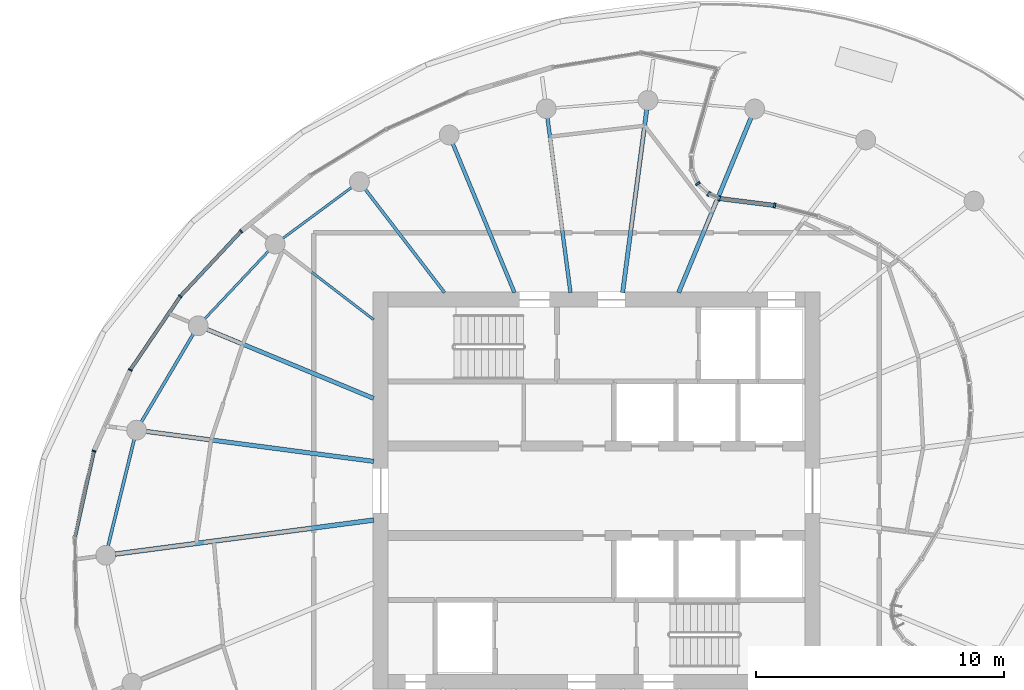
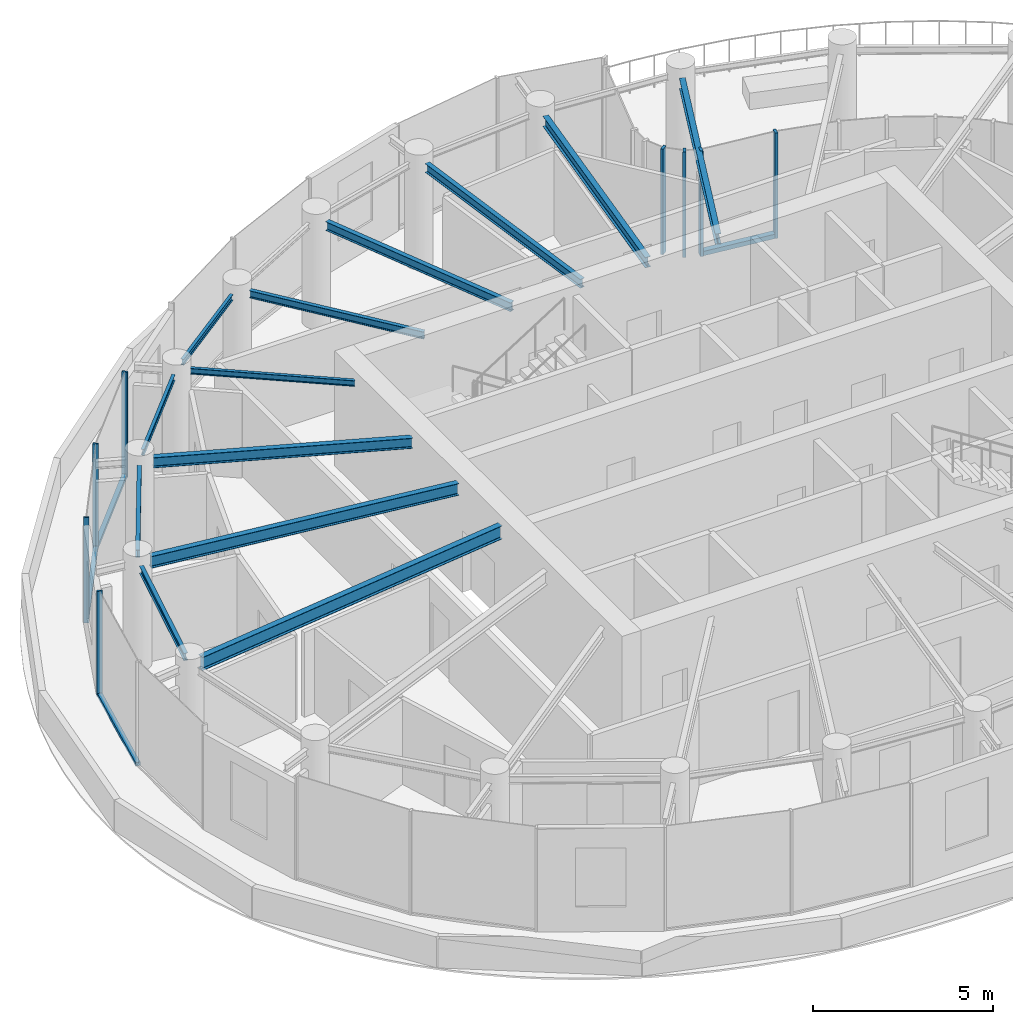
# One storey, part 3 of 19: 13 beams, 12 members, 4 elements without a shape of their own.
"""IFC4 building model written with IfcOpenShell, lengths in metres."""

from ifc_helpers import new_model, si_unit, direction, frame, origin, origin_2d, place, context, subcontext, project, spatial, rectangle, i_section, extrude, source, transform, mapped, material, layer, layer_set, material_profile, profile_set, type_object, element, aggregate, save


model = new_model("IFC4")

# Units and contexts
model_context = context("Model", 3, precision=1e-05, world=origin(), true_north=direction((0.0, 1.0)))
body_context = subcontext(model_context, "Body", "Model", "MODEL_VIEW")
ifc_project = project(units=[si_unit("LENGTHUNIT", "METRE"), si_unit("AREAUNIT", "SQUARE_METRE"), si_unit("VOLUMEUNIT", "CUBIC_METRE"), si_unit("PLANEANGLEUNIT", "RADIAN"), si_unit("MASSUNIT", "GRAM", prefix="KILO")], contexts=[model_context])

# Site, building, storey
site_placement = place(None, origin())
site = spatial("IfcSite", under=ifc_project, at=site_placement, CompositionType="ELEMENT")
building_placement = place(site_placement, origin())
building = spatial("IfcBuilding", under=site, at=building_placement, Name="Spindrift Exchange Tower", CompositionType="ELEMENT")
storey_placement = place(building_placement, frame((0.0, 0.0, 234.5)))
storey = spatial("IfcBuildingStorey", under=building, at=storey_placement, Name="L57", CompositionType="ELEMENT", Elevation=234.5)

# Beams
ifc_material_1 = material(Name="Steel Grade 300", Category="steel")
ifc_material_profile_1 = material_profile(ifc_material_1, i_section(OverallWidth=0.18994140625, OverallDepth=0.4541015625, WebThickness=0.008544921875, FlangeThickness=0.0126953125, FilletRadius=0.013916015625, at=origin_2d()), Name="460UB67.1")
ifc_profile_set_1 = profile_set([ifc_material_profile_1], Name="Steel Grade 300")
beam_type_1 = type_object("IfcBeamType", Name="Floor Beam 460UB67.1 Steel Grade 300", PredefinedType="BEAM", material=ifc_profile_set_1)
shared_shape_1 = source(origin(), body_context, "Body", "SweptSolid", [
    extrude(i_section(OverallWidth=0.18994140625, OverallDepth=0.4541015625, WebThickness=0.008544921875, FlangeThickness=0.0126953125, FilletRadius=0.013916015625, at=origin_2d()), origin(), (0.0, 0.0, 1.0), 10.510009765625),
])
beam_1_placement = place(storey_placement, frame((43.019775390625, 46.817626953125, 3.35302734375), z_axis=(-0.991445042488, -0.130524816516, 0.0), x_axis=(0.130524816516, -0.991445042488, 0.0)))
element("IfcBeam", 1, at=beam_1_placement, inside=storey, type_object=beam_type_1, Name="L57 radial beam R13A", PredefinedType="BEAM", context=body_context, shape_type="MappedRepresentation", body=[
    mapped(shared_shape_1, transform((0.0, 0.0, 0.0), scale=1.0)),
])
ifc_material_profile_2 = material_profile(ifc_material_1, i_section(OverallWidth=0.1708984375, OverallDepth=0.35205078125, WebThickness=0.0068359375, FlangeThickness=0.009765625, FilletRadius=0.013916015625, at=origin_2d()), Name="360UB44.7")
ifc_profile_set_2 = profile_set([ifc_material_profile_2], Name="Steel Grade 300")
beam_type_2 = type_object("IfcBeamType", Name="Floor Beam 360UB44.7 Steel Grade 300", PredefinedType="BEAM", material=ifc_profile_set_2)
shared_shape_2 = source(origin(), body_context, "Body", "SweptSolid", [
    extrude(i_section(OverallWidth=0.1708984375, OverallDepth=0.35205078125, WebThickness=0.0068359375, FlangeThickness=0.009765625, FilletRadius=0.013916015625, at=origin_2d()), origin(), (0.0, 0.0, 1.0), 7.630859375),
])
beam_2_placement = place(storey_placement, frame((55.30615234375, 55.9814453125, 3.404052734375), z_axis=(0.382676740702, 0.92388230426, 0.0), x_axis=(-0.92388230426, 0.382676740702, 0.0)))
element("IfcBeam", 2, at=beam_2_placement, inside=storey, type_object=beam_type_2, Name="L57 radial beam R05A", PredefinedType="BEAM", context=body_context, shape_type="MappedRepresentation", body=[
    mapped(shared_shape_2, transform((0.0, 0.0, 0.0), scale=1.0)),
])
shared_shape_3 = source(origin(), body_context, "Body", "SweptSolid", [
    extrude(i_section(OverallWidth=0.1708984375, OverallDepth=0.35205078125, WebThickness=0.0068359375, FlangeThickness=0.009765625, FilletRadius=0.013916015625, at=origin_2d()), origin(), (0.0, 0.0, 1.0), 7.43798828125),
])
beam_3_placement = place(storey_placement, frame((53.050537109375, 55.980224609375, 3.404052734375), z_axis=(0.130540269579, 0.991443007953, 0.0), x_axis=(-0.991443007953, 0.130540269579, 0.0)))
element("IfcBeam", 3, at=beam_3_placement, inside=storey, type_object=beam_type_2, Name="L57 radial beam R06A", PredefinedType="BEAM", context=body_context, shape_type="MappedRepresentation", body=[
    mapped(shared_shape_3, transform((0.0, 0.0, 0.0), scale=1.0)),
])
ifc_material_profile_3 = material_profile(ifc_material_1, i_section(OverallWidth=0.14892578125, OverallDepth=0.298095703125, WebThickness=0.005615234375, FlangeThickness=0.008056640625, FilletRadius=0.012939453125, at=origin_2d()), Name="310UB32.0")
ifc_profile_set_3 = profile_set([ifc_material_profile_3], Name="Steel Grade 300")
beam_type_3 = type_object("IfcBeamType", Name="Floor Beam 310UB32.0 Steel Grade 300", PredefinedType="BEAM", material=ifc_profile_set_3)
shared_shape_4 = source(origin(), body_context, "Body", "SweptSolid", [
    extrude(i_section(OverallWidth=0.14892578125, OverallDepth=0.298095703125, WebThickness=0.005615234375, FlangeThickness=0.008056640625, FilletRadius=0.012939453125, at=origin_2d()), origin(), (0.0, 0.0, 1.0), 7.099853515625),
])
beam_4_placement = place(storey_placement, frame((50.949462890625, 55.980224609375, 3.430908203125), z_axis=(-0.130532789835, 0.991443992759, 0.0), x_axis=(-0.991443992759, -0.130532789835, 0.0)))
element("IfcBeam", 4, at=beam_4_placement, inside=storey, type_object=beam_type_3, Name="L57 radial beam R07A", PredefinedType="BEAM", context=body_context, shape_type="MappedRepresentation", body=[
    mapped(shared_shape_4, transform((0.0, 0.0, 0.0), scale=1.0)),
])
shared_shape_5 = source(origin(), body_context, "Body", "SweptSolid", [
    extrude(i_section(OverallWidth=0.14892578125, OverallDepth=0.298095703125, WebThickness=0.005615234375, FlangeThickness=0.008056640625, FilletRadius=0.012939453125, at=origin_2d()), origin(), (0.0, 0.0, 1.0), 6.495849609375),
])
beam_5_placement = place(storey_placement, frame((48.69384765625, 55.9814453125, 3.430908203125), z_axis=(-0.382677087308, 0.923882160695, 0.0), x_axis=(-0.923882160695, -0.382677087308, 0.0)))
element("IfcBeam", 5, at=beam_5_placement, inside=storey, type_object=beam_type_3, Name="L57 radial beam R08A", PredefinedType="BEAM", context=body_context, shape_type="MappedRepresentation", body=[
    mapped(shared_shape_5, transform((0.0, 0.0, 0.0), scale=1.0)),
])
ifc_material_profile_4 = material_profile(ifc_material_1, i_section(OverallWidth=0.1240234375, OverallDepth=0.248046875, WebThickness=0.0048828125, FlangeThickness=0.008056640625, FilletRadius=0.011962890625, at=origin_2d()), Name="250UB25.7")
ifc_profile_set_4 = profile_set([ifc_material_profile_4], Name="Steel Grade 300")
beam_type_4 = type_object("IfcBeamType", Name="Floor Beam 250UB25.7 Steel Grade 300", PredefinedType="BEAM", material=ifc_profile_set_4)
shared_shape_6 = source(origin(), body_context, "Body", "SweptSolid", [
    extrude(i_section(OverallWidth=0.1240234375, OverallDepth=0.248046875, WebThickness=0.0048828125, FlangeThickness=0.008056640625, FilletRadius=0.011962890625, at=origin_2d()), origin(), (0.0, 0.0, 1.0), 5.25341796875),
])
beam_6_placement = place(storey_placement, frame((45.87353515625, 55.984130859375, 3.4560546875), z_axis=(-0.608760287872, 0.793354215915, 0.0), x_axis=(-0.793354215915, -0.608760287872, 0.0)))
element("IfcBeam", 6, at=beam_6_placement, inside=storey, type_object=beam_type_4, Name="L57 radial beam R09A", PredefinedType="BEAM", context=body_context, shape_type="MappedRepresentation", body=[
    mapped(shared_shape_6, transform((0.0, 0.0, 0.0), scale=1.0)),
])
ifc_material_profile_5 = material_profile(ifc_material_1, i_section(OverallWidth=0.09912109375, OverallDepth=0.197998046875, WebThickness=0.00439453125, FlangeThickness=0.007080078125, FilletRadius=0.010986328125, at=origin_2d()), Name="200UB18.2")
ifc_profile_set_5 = profile_set([ifc_material_profile_5], Name="Steel Grade 300")
beam_type_5 = type_object("IfcBeamType", Name="Floor Beam 200UB18.2 Steel Grade 300", PredefinedType="BEAM", material=ifc_profile_set_5)
shared_shape_7 = source(origin(), body_context, "Body", "SweptSolid", [
    extrude(i_section(OverallWidth=0.09912109375, OverallDepth=0.197998046875, WebThickness=0.00439453125, FlangeThickness=0.007080078125, FilletRadius=0.010986328125, at=origin_2d()), origin(), (0.0, 0.0, 1.0), 4.622802734375),
])
beam_7_placement = place(storey_placement, frame((43.015869140625, 54.893798828125, 3.48095703125), z_axis=(-0.793347882225, 0.608768542033, 0.0), x_axis=(-0.608768542033, -0.793347882225, 0.0)))
element("IfcBeam", 7, at=beam_7_placement, inside=storey, type_object=beam_type_5, Name="L57 radial beam R10A", PredefinedType="BEAM", context=body_context, shape_type="MappedRepresentation", body=[
    mapped(shared_shape_7, transform((0.0, 0.0, 0.0), scale=1.0)),
])
shared_shape_8 = source(origin(), body_context, "Body", "SweptSolid", [
    extrude(i_section(OverallWidth=0.1708984375, OverallDepth=0.35205078125, WebThickness=0.0068359375, FlangeThickness=0.009765625, FilletRadius=0.013916015625, at=origin_2d()), origin(), (0.0, 0.0, 1.0), 7.272705078125),
])
beam_8_placement = place(storey_placement, frame((43.0185546875, 51.72021484375, 3.404052734375), z_axis=(-0.923874446092, 0.382695711836, 0.0), x_axis=(-0.382695711836, -0.923874446092, 0.0)))
element("IfcBeam", 8, at=beam_8_placement, inside=storey, type_object=beam_type_2, Name="L57 radial beam R11A", PredefinedType="BEAM", context=body_context, shape_type="MappedRepresentation", body=[
    mapped(shared_shape_8, transform((0.0, 0.0, 0.0), scale=1.0)),
])
ifc_material_profile_6 = material_profile(ifc_material_1, i_section(OverallWidth=0.177978515625, OverallDepth=0.403076171875, WebThickness=0.007568359375, FlangeThickness=0.010986328125, FilletRadius=0.013916015625, at=origin_2d()), Name="410UB53.7")
ifc_profile_set_6 = profile_set([ifc_material_profile_6], Name="Steel Grade 300")
beam_type_6 = type_object("IfcBeamType", Name="Floor Beam 410UB53.7 Steel Grade 300", PredefinedType="BEAM", material=ifc_profile_set_6)
shared_shape_9 = source(origin(), body_context, "Body", "SweptSolid", [
    extrude(i_section(OverallWidth=0.177978515625, OverallDepth=0.403076171875, WebThickness=0.007568359375, FlangeThickness=0.010986328125, FilletRadius=0.013916015625, at=origin_2d()), origin(), (0.0, 0.0, 1.0), 9.261962890625),
])
beam_9_placement = place(storey_placement, frame((43.019775390625, 49.182373046875, 3.37841796875), z_axis=(-0.991447744872, 0.130504288008, 0.0), x_axis=(-0.130504288008, -0.991447744872, 0.0)))
element("IfcBeam", 9, at=beam_9_placement, inside=storey, type_object=beam_type_6, Name="L57 radial beam R12A", PredefinedType="BEAM", context=body_context, shape_type="MappedRepresentation", body=[
    mapped(shared_shape_9, transform((0.0, 0.0, 0.0), scale=1.0)),
])
ifc_material_profile_7 = material_profile(ifc_material_1, i_section(OverallWidth=0.09912109375, OverallDepth=0.197998046875, WebThickness=0.00439453125, FlangeThickness=0.007080078125, FilletRadius=0.010986328125, at=origin_2d()), Name="200UB18.2")
ifc_profile_set_7 = profile_set([ifc_material_profile_7], Name="Steel Grade 300")
beam_type_7 = type_object("IfcBeamType", Name="Edge Beam 200UB18.2 Steel Grade 300", PredefinedType="SPANDREL", material=ifc_profile_set_7)
shared_shape_10 = source(origin(), body_context, "Body", "SweptSolid", [
    extrude(i_section(OverallWidth=0.09912109375, OverallDepth=0.197998046875, WebThickness=0.00439453125, FlangeThickness=0.007080078125, FilletRadius=0.010986328125, at=origin_2d()), origin(), (0.0, 0.0, 1.0), 3.466552734375),
])
beam_10_placement = place(storey_placement, frame((42.138916015625, 60.227294921875, 3.48095703125), z_axis=(-0.803854022168, -0.594826622676, 0.0), x_axis=(0.594826622676, -0.803854022168, 0.0)))
element("IfcBeam", 10, at=beam_10_placement, inside=storey, type_object=beam_type_7, Name="L57 edge beam E09", PredefinedType="SPANDREL", context=body_context, shape_type="MappedRepresentation", body=[
    mapped(shared_shape_10, transform((0.0, 0.0, 0.0), scale=1.0)),
])
shared_shape_11 = source(origin(), body_context, "Body", "SweptSolid", [
    extrude(i_section(OverallWidth=0.09912109375, OverallDepth=0.197998046875, WebThickness=0.00439453125, FlangeThickness=0.007080078125, FilletRadius=0.010986328125, at=origin_2d()), origin(), (0.0, 0.0, 1.0), 3.759765625),
])
beam_11_placement = place(storey_placement, frame((38.786376953125, 57.66259765625, 3.48095703125), z_axis=(-0.685520646854, -0.72805318675, 0.0), x_axis=(0.72805318675, -0.685520646854, 0.0)))
element("IfcBeam", 11, at=beam_11_placement, inside=storey, type_object=beam_type_7, Name="L57 edge beam E10", PredefinedType="SPANDREL", context=body_context, shape_type="MappedRepresentation", body=[
    mapped(shared_shape_11, transform((0.0, 0.0, 0.0), scale=1.0)),
])
ifc_material_profile_8 = material_profile(ifc_material_1, i_section(OverallWidth=0.1240234375, OverallDepth=0.248046875, WebThickness=0.0048828125, FlangeThickness=0.008056640625, FilletRadius=0.011962890625, at=origin_2d()), Name="250UB25.7")
ifc_profile_set_8 = profile_set([ifc_material_profile_8], Name="Steel Grade 300")
beam_type_8 = type_object("IfcBeamType", Name="Edge Beam 250UB25.7 Steel Grade 300", PredefinedType="SPANDREL", material=ifc_profile_set_8)
shared_shape_12 = source(origin(), body_context, "Body", "SweptSolid", [
    extrude(i_section(OverallWidth=0.1240234375, OverallDepth=0.248046875, WebThickness=0.0048828125, FlangeThickness=0.008056640625, FilletRadius=0.011962890625, at=origin_2d()), origin(), (0.0, 0.0, 1.0), 4.128662109375),
])
beam_12_placement = place(storey_placement, frame((35.755126953125, 54.321533203125, 3.4560546875), z_axis=(-0.509067946458, -0.860726336235, 0.0), x_axis=(0.860726336235, -0.509067946458, 0.0)))
element("IfcBeam", 12, at=beam_12_placement, inside=storey, type_object=beam_type_8, Name="L57 edge beam E11", PredefinedType="SPANDREL", context=body_context, shape_type="MappedRepresentation", body=[
    mapped(shared_shape_12, transform((0.0, 0.0, 0.0), scale=1.0)),
])
shared_shape_13 = source(origin(), body_context, "Body", "SweptSolid", [
    extrude(i_section(OverallWidth=0.1240234375, OverallDepth=0.248046875, WebThickness=0.0048828125, FlangeThickness=0.008056640625, FilletRadius=0.011962890625, at=origin_2d()), origin(), (0.0, 0.0, 1.0), 4.43408203125),
])
beam_13_placement = place(storey_placement, frame((33.369384765625, 50.07177734375, 3.4560546875), z_axis=(-0.238193109804, -0.971217814109, 0.0), x_axis=(0.971217814109, -0.238193109804, 0.0)))
element("IfcBeam", 13, at=beam_13_placement, inside=storey, type_object=beam_type_8, Name="L57 edge beam E12", PredefinedType="SPANDREL", context=body_context, shape_type="MappedRepresentation", body=[
    mapped(shared_shape_13, transform((0.0, 0.0, 0.0), scale=1.0)),
])

# Curtain wall, members
ifc_material_2 = material(Name="Fritted laminated glass with bronze frame", Category="glass")
ifc_layer_1 = layer(ifc_material_2, 0.199951171875)
ifc_layer_set_1 = layer_set([ifc_layer_1], Name="SKY GARDEN BRONZE GLAZED WALL")
curtain_wall_type_1 = type_object("IfcCurtainWallType", Name="SKY GARDEN BRONZE GLAZED WALL", PredefinedType="NOTDEFINED", material=ifc_layer_set_1)
curtain_wall_1_placement = place(storey_placement, origin())
curtain_wall_1 = element("IfcCurtainWall", 14, at=curtain_wall_1_placement, inside=storey, type_object=curtain_wall_type_1, Name="L57 Sky Garden Bronze Glazed Wall run 8", PredefinedType="NOTDEFINED")
ifc_material_3 = material(Name="Bronze anodised aluminium", Category="aluminium")
ifc_material_profile_9 = material_profile(ifc_material_3, rectangle(XDim=0.0849609375, YDim=0.199951171875, at=origin_2d()), Name="SKY GARDEN BRONZE GLAZED WALL MULLION 85X200")
ifc_profile_set_9 = profile_set([ifc_material_profile_9], Name="Bronze anodised aluminium")
member_type_1 = type_object("IfcMemberType", Name="SKY GARDEN BRONZE GLAZED WALL MULLION 85X200", PredefinedType="MULLION", material=ifc_profile_set_9)
shared_shape_14 = source(origin(), body_context, "Body", "SweptSolid", [
    extrude(rectangle(XDim=0.0849609375, YDim=0.199951171875, at=origin_2d()), origin(), (0.0, 0.0, 1.0), 3.580078125),
])
member_1_placement = place(storey_placement, frame((59.177978515625, 59.494873046875, 0.0), z_axis=(0.0, 0.0, 1.0), x_axis=(-0.982466272805, 0.186440400132, 0.0)))
member_1 = element("IfcMember", 15, at=member_1_placement, type_object=member_type_1, Name="L57 mullion CW-G.45", PredefinedType="MULLION", context=body_context, shape_type="MappedRepresentation", body=[
    mapped(shared_shape_14, transform((0.0, 0.0, 0.0), scale=1.0)),
])
member_2_placement = place(storey_placement, frame((56.944091796875, 59.77587890625, 0.0), z_axis=(0.0, 0.0, 1.0), x_axis=(-0.964064878717, 0.26566691481, 0.0)))
member_2 = element("IfcMember", 16, at=member_2_placement, type_object=member_type_1, Name="L57 mullion CW-G.46", PredefinedType="MULLION", context=body_context, shape_type="MappedRepresentation", body=[
    mapped(shared_shape_14, transform((0.0, 0.0, 0.0), scale=1.0)),
])

curtain_wall_2_placement = place(storey_placement, origin())
curtain_wall_2 = element("IfcCurtainWall", 17, at=curtain_wall_2_placement, inside=storey, type_object=curtain_wall_type_1, Name="L57 Sky Garden Bronze Glazed Wall run 9", PredefinedType="NOTDEFINED")
member_3_placement = place(storey_placement, frame((56.523193359375, 59.960205078125, 0.0), z_axis=(0.0, 0.0, 1.0), x_axis=(-0.83355078347, 0.552442839918, 0.0)))
member_3 = element("IfcMember", 18, at=member_3_placement, type_object=member_type_1, Name="L57 mullion CW-G.47", PredefinedType="MULLION", context=body_context, shape_type="MappedRepresentation", body=[
    mapped(shared_shape_14, transform((0.0, 0.0, 0.0), scale=1.0)),
])
member_4_placement = place(storey_placement, frame((56.083251953125, 60.376708984375, 0.0), z_axis=(0.0, 0.0, 1.0), x_axis=(-0.577121101918, 0.816658578429, 0.0)))
member_4 = element("IfcMember", 19, at=member_4_placement, type_object=member_type_1, Name="L57 mullion CW-G.48", PredefinedType="MULLION", context=body_context, shape_type="MappedRepresentation", body=[
    mapped(shared_shape_14, transform((0.0, 0.0, 0.0), scale=1.0)),
])
aggregate(curtain_wall_2, [member_3, member_4])

# Curtain wall, member
ifc_layer_2 = layer(ifc_material_2, 0.159912109375)
ifc_layer_set_2 = layer_set([ifc_layer_2], Name="ZONE 5 BRONZE FRITTED WALL")
curtain_wall_type_2 = type_object("IfcCurtainWallType", Name="ZONE 5 BRONZE FRITTED WALL", PredefinedType="NOTDEFINED", material=ifc_layer_set_2)
curtain_wall_3_placement = place(storey_placement, origin())
curtain_wall_3 = element("IfcCurtainWall", 20, at=curtain_wall_3_placement, inside=storey, type_object=curtain_wall_type_2, Name="L57 Zone 5 Bronze Fritted Wall run 1", PredefinedType="NOTDEFINED")
ifc_material_profile_10 = material_profile(ifc_material_3, rectangle(XDim=0.06005859375, YDim=0.159912109375, at=origin_2d()), Name="ZONE 5 BRONZE FRITTED WALL MULLION 60X160")
ifc_profile_set_10 = profile_set([ifc_material_profile_10], Name="Bronze anodised aluminium")
member_type_2 = type_object("IfcMemberType", Name="ZONE 5 BRONZE FRITTED WALL MULLION 60X160", PredefinedType="MULLION", material=ifc_profile_set_10)
shared_shape_15 = source(origin(), body_context, "Body", "SweptSolid", [
    extrude(rectangle(XDim=0.06005859375, YDim=0.159912109375, at=origin_2d()), origin(), (0.0, 0.0, 1.0), 3.580078125),
])
member_5_placement = place(storey_placement, frame((37.674072265625, 58.452392578125, 0.0), z_axis=(0.0, 0.0, 1.0), x_axis=(-0.732409515165, -0.680864378637, 0.0)))
member_5 = element("IfcMember", 21, at=member_5_placement, type_object=member_type_2, Name="L57 mullion CW-5.6", PredefinedType="MULLION", context=body_context, shape_type="MappedRepresentation", body=[
    mapped(shared_shape_15, transform((0.0, 0.0, 0.0), scale=1.0)),
])

# Curtain wall, members
curtain_wall_4_placement = place(storey_placement, origin())
curtain_wall_4 = element("IfcCurtainWall", 22, at=curtain_wall_4_placement, inside=storey, type_object=curtain_wall_type_2, Name="L57 Zone 5 Bronze Fritted Wall run 2", PredefinedType="NOTDEFINED")
member_6_placement = place(storey_placement, frame((35.225830078125, 55.8330078125, 0.0), z_axis=(0.0, 0.0, 1.0), x_axis=(-0.624223429627, -0.781245870328, 0.0)))
member_6 = element("IfcMember", 23, at=member_6_placement, type_object=member_type_2, Name="L57 mullion CW-5.7", PredefinedType="MULLION", context=body_context, shape_type="MappedRepresentation", body=[
    mapped(shared_shape_15, transform((0.0, 0.0, 0.0), scale=1.0)),
])
member_7_placement = place(storey_placement, frame((33.211669921875, 52.86767578125, 0.0), z_axis=(0.0, 0.0, 1.0), x_axis=(-0.487008752045, -0.873397089205, 0.0)))
member_7 = element("IfcMember", 24, at=member_7_placement, type_object=member_type_2, Name="L57 mullion CW-5.8", PredefinedType="MULLION", context=body_context, shape_type="MappedRepresentation", body=[
    mapped(shared_shape_15, transform((0.0, 0.0, 0.0), scale=1.0)),
])
member_8_placement = place(storey_placement, frame((31.748291015625, 49.5966796875, 0.0), z_axis=(0.0, 0.0, 1.0), x_axis=(-0.313464449603, -0.949599936202, 0.0)))
member_8 = element("IfcMember", 25, at=member_8_placement, type_object=member_type_2, Name="L57 mullion CW-5.9", PredefinedType="MULLION", context=body_context, shape_type="MappedRepresentation", body=[
    mapped(shared_shape_15, transform((0.0, 0.0, 0.0), scale=1.0)),
])

# Member
ifc_material_profile_11 = material_profile(ifc_material_3, rectangle(XDim=0.139892578125, YDim=0.1201171875, at=origin_2d()), Name="ZONE 5 BRONZE FRITTED WALL TRANSOM 140X120")
ifc_profile_set_11 = profile_set([ifc_material_profile_11], Name="Bronze anodised aluminium")
member_type_3 = type_object("IfcMemberType", Name="ZONE 5 BRONZE FRITTED WALL TRANSOM 140X120", PredefinedType="USERDEFINED", material=ifc_profile_set_11)
shared_shape_16 = source(origin(), body_context, "Body", "SweptSolid", [
    extrude(rectangle(XDim=0.139892578125, YDim=0.1201171875, at=origin_2d()), origin(), (0.0, 0.0, 1.0), 3.525390625),
])
member_9_placement = place(storey_placement, frame((37.653564453125, 58.4306640625, 0.06005859375), z_axis=(-0.682811567593, -0.730594527191, 0.0), x_axis=(0.730594527191, -0.682811567593, 0.0)))
member_9 = element("IfcMember", 26, at=member_9_placement, type_object=member_type_3, Name="L57 transom CW-5.6", ObjectType="TRANSOM", PredefinedType="USERDEFINED", context=body_context, shape_type="MappedRepresentation", body=[
    mapped(shared_shape_16, transform((0.0, 0.0, 0.0), scale=1.0)),
])

aggregate(curtain_wall_3, [member_5, member_9])

shared_shape_17 = source(origin(), body_context, "Body", "SweptSolid", [
    extrude(rectangle(XDim=0.139892578125, YDim=0.1201171875, at=origin_2d()), origin(), (0.0, 0.0, 1.0), 3.524658203125),
])
member_10_placement = place(storey_placement, frame((35.208984375, 55.80810546875, 0.06005859375), z_axis=(-0.561904499288, -0.827202111748, 0.0), x_axis=(0.827202111748, -0.561904499288, 0.0)))
member_10 = element("IfcMember", 27, at=member_10_placement, type_object=member_type_3, Name="L57 transom CW-5.7", ObjectType="TRANSOM", PredefinedType="USERDEFINED", context=body_context, shape_type="MappedRepresentation", body=[
    mapped(shared_shape_17, transform((0.0, 0.0, 0.0), scale=1.0)),
])

shared_shape_18 = source(origin(), body_context, "Body", "SweptSolid", [
    extrude(rectangle(XDim=0.139892578125, YDim=0.1201171875, at=origin_2d()), origin(), (0.0, 0.0, 1.0), 3.521484375),
])
member_11_placement = place(storey_placement, frame((31.741943359375, 49.5673828125, 0.06005859375), z_axis=(-0.215329934047, -0.976541355757, 0.0), x_axis=(0.976541355757, -0.215329934047, 0.0)))
member_11 = element("IfcMember", 28, at=member_11_placement, type_object=member_type_3, Name="L57 transom CW-5.9", ObjectType="TRANSOM", PredefinedType="USERDEFINED", context=body_context, shape_type="MappedRepresentation", body=[
    mapped(shared_shape_18, transform((0.0, 0.0, 0.0), scale=1.0)),
])

aggregate(curtain_wall_4, [member_6, member_10, member_7, member_8, member_11])

ifc_material_profile_12 = material_profile(ifc_material_3, rectangle(XDim=0.179931640625, YDim=0.14990234375, at=origin_2d()), Name="SKY GARDEN BRONZE GLAZED WALL TRANSOM 180X150")
ifc_profile_set_12 = profile_set([ifc_material_profile_12], Name="Bronze anodised aluminium")
member_type_4 = type_object("IfcMemberType", Name="SKY GARDEN BRONZE GLAZED WALL TRANSOM 180X150", PredefinedType="USERDEFINED", material=ifc_profile_set_12)
shared_shape_19 = source(origin(), body_context, "Body", "SweptSolid", [
    extrude(rectangle(XDim=0.179931640625, YDim=0.14990234375, at=origin_2d()), origin(), (0.0, 0.0, 1.0), 2.166259765625),
])
member_12_placement = place(storey_placement, frame((59.1357421875, 59.5, 0.074951171875), z_axis=(-0.992173500869, 0.124866905834, 0.0), x_axis=(-0.124866905834, -0.992173500869, 0.0)))
member_12 = element("IfcMember", 29, at=member_12_placement, type_object=member_type_4, Name="L57 transom CW-G.45", ObjectType="TRANSOM", PredefinedType="USERDEFINED", context=body_context, shape_type="MappedRepresentation", body=[
    mapped(shared_shape_19, transform((0.0, 0.0, 0.0), scale=1.0)),
])

aggregate(curtain_wall_1, [member_1, member_12, member_2])

save(model, "model.ifc")
